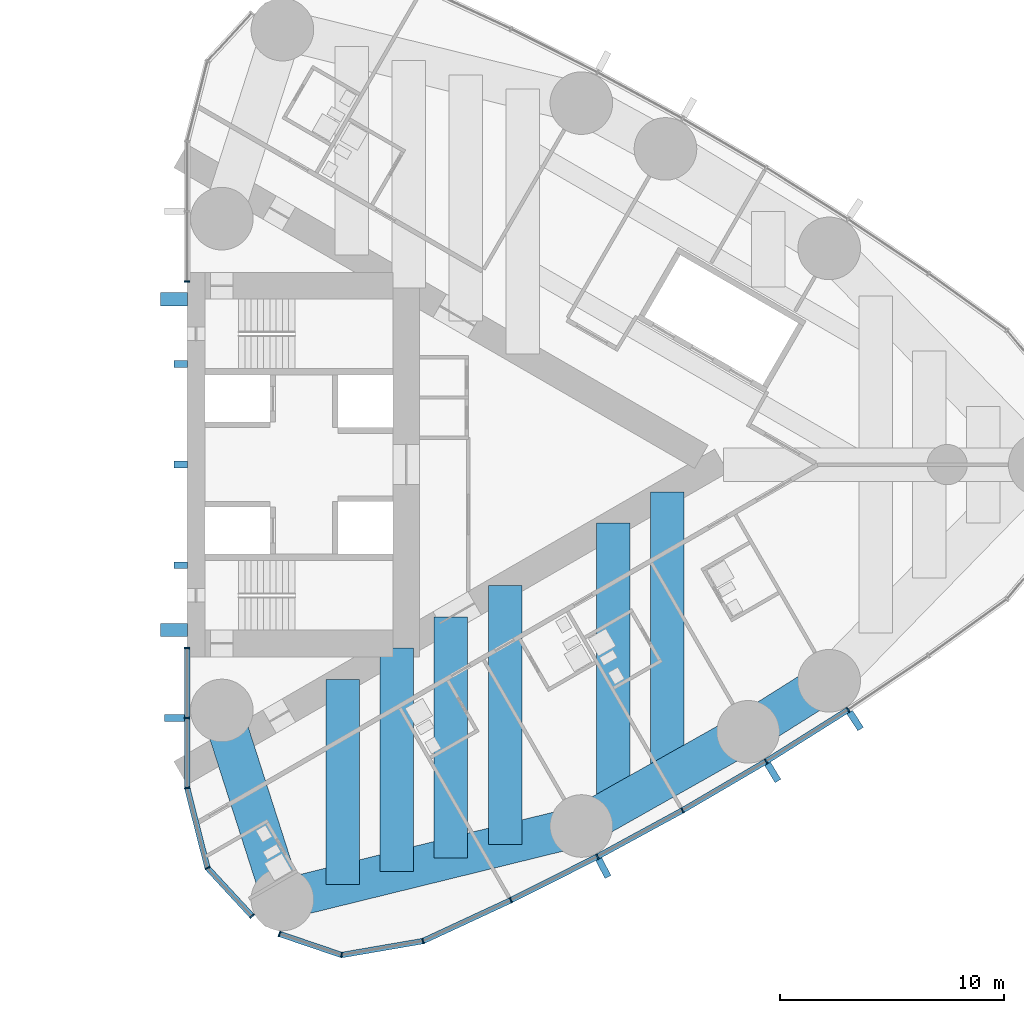
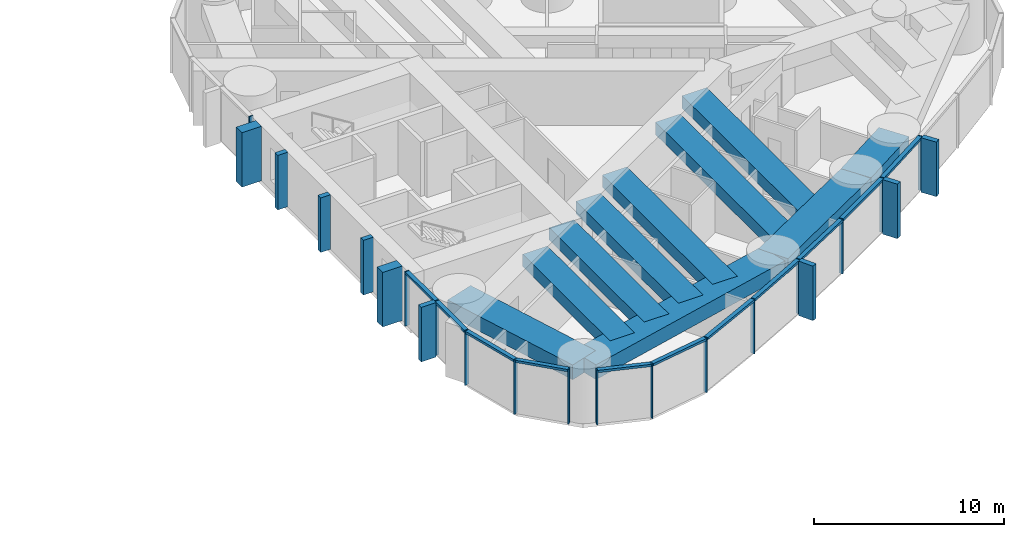
# One storey, part 6 of 19: 34 members, 10 beams, 3 elements without a shape of their own.
"""IFC4 building model written with IfcOpenShell, lengths in metres."""

import ifcopenshell
import ifcopenshell.guid

model = None  # the IFC model being written
_history = None  # IfcOwnerHistory: only IFC2X3 demands one
_inside = {}  # id of a spatial element -> (the spatial element, [elements in it])
_under = {}  # id of a project, library or spatial element -> (it, [spatial elements below it])
_declared = {}  # id of a project -> (the project, [libraries it declares])
_typed = {}  # id of a type object -> (the type object, [elements of that type])
_made_of = {}  # id of a material, layer set ... -> (it, [elements and type objects made of it])


def new_model(schema):
    """Start an empty IFC model of exactly this schema.

    Asked for "IFC4X3", IfcOpenShell would pick the latest addendum, in which some entities
    have other attributes; the version numbers below select the first issue.
    IFC2X3 requires an IfcOwnerHistory on every rooted entity: one is made here for all.
    """
    global model, _history
    if schema == "IFC4X3":
        model = ifcopenshell.file(schema_version=(4, 3, 0, 0))
    else:
        model = ifcopenshell.file(schema=schema)
    _inside.clear()
    _under.clear()
    _declared.clear()
    _typed.clear()
    _made_of.clear()
    _history = None
    if model.schema == "IFC2X3":
        org = make("IfcOrganization", Name="unknown")
        user = make(
            "IfcPersonAndOrganization",
            ThePerson=make("IfcPerson", FamilyName="unknown"),
            TheOrganization=org,
        )
        app = make(
            "IfcApplication",
            ApplicationDeveloper=org,
            Version="unknown",
            ApplicationFullName="unknown",
            ApplicationIdentifier="unknown",
        )
        _history = make(
            "IfcOwnerHistory",
            OwningUser=user,
            OwningApplication=app,
            ChangeAction="ADDED",
            CreationDate=0,
        )
    return model


def make(cls, **values):
    """One entity of the class cls with the attributes given. An attribute that is None is left unset."""
    return model.create_entity(
        cls, **{name: value for name, value in values.items() if value is not None}
    )


def rooted(cls, **values):
    """An entity with a GlobalId (a new one), such as an element, a storey or a relation."""
    return make(cls, GlobalId=ifcopenshell.guid.new(), OwnerHistory=_history, **values)


def si_unit(unit_type, name, prefix=None):
    """IfcSIUnit, for example si_unit("LENGTHUNIT", "METRE", prefix="MILLI")."""
    return make("IfcSIUnit", UnitType=unit_type, Prefix=prefix, Name=name)


def assignment(units):
    """IfcUnitAssignment: the units of a project."""
    return None if units is None else make("IfcUnitAssignment", Units=units)


def point(xyz):
    """IfcCartesianPoint."""
    return None if xyz is None else make("IfcCartesianPoint", Coordinates=xyz)


def direction(xyz):
    """IfcDirection."""
    return None if xyz is None else make("IfcDirection", DirectionRatios=xyz)


def frame(location, z_axis=None, x_axis=None):
    """IfcAxis2Placement3D, a coordinate frame: its origin and axes. An axis left out is left unset."""
    return make(
        "IfcAxis2Placement3D",
        Location=point(location),
        Axis=direction(z_axis),
        RefDirection=direction(x_axis),
    )


def frame_2d(location, x_axis=None):
    """IfcAxis2Placement2D, a coordinate frame in the plane: its origin and x axis."""
    return make(
        "IfcAxis2Placement2D", Location=point(location), RefDirection=direction(x_axis)
    )


def origin():
    """The frame at (0, 0, 0) with its axes left unset."""
    return frame((0.0, 0.0, 0.0))


def origin_2d():
    """The frame at (0, 0) in the plane with its x axis left unset."""
    return frame_2d((0.0, 0.0))


def place(relative_to, where):
    """IfcLocalPlacement: puts the frame where relative to a parent placement (None: the world)."""
    return make(
        "IfcLocalPlacement", PlacementRelTo=relative_to, RelativePlacement=where
    )


def context(
    kind, dimensions, precision=None, world=None, true_north=None, identifier=None
):
    """IfcGeometricRepresentationContext, for example the 3D "Model" context."""
    return make(
        "IfcGeometricRepresentationContext",
        ContextIdentifier=identifier,
        ContextType=kind,
        CoordinateSpaceDimension=dimensions,
        Precision=precision,
        WorldCoordinateSystem=world,
        TrueNorth=true_north,
    )


def subcontext(parent, identifier, kind, view, scale=None):
    """IfcGeometricRepresentationSubContext, for example "Body" below "Model"."""
    return make(
        "IfcGeometricRepresentationSubContext",
        ContextIdentifier=identifier,
        ContextType=kind,
        ParentContext=parent,
        TargetScale=scale,
        TargetView=view,
    )


def project(units=None, contexts=None):
    """IfcProject with its units and contexts."""
    return rooted(
        "IfcProject",
        Name="project",
        RepresentationContexts=contexts,
        UnitsInContext=assignment(units),
    )


def spatial(cls, under=None, at=None, **own):
    """A site, building, storey or space (cls), placed at a placement, below another one or the project."""
    s = rooted(cls, ObjectPlacement=at, **own)
    if under is not None:
        _under.setdefault(under.id(), (under, []))[1].append(s)
    return s


def profile(cls, at=None, kind="AREA", **sizes):
    """A parametric profile (cls). Its sizes go by their IFC names, for example OverallWidth=200.0."""
    return make(cls, ProfileType=kind, Position=at, **sizes)


def rectangle(**sizes):
    """IfcRectangleProfileDef."""
    return profile("IfcRectangleProfileDef", **sizes)


def extrude(swept, where, along, depth):
    """IfcExtrudedAreaSolid: the profile swept, set in the frame where, extruded along a direction by depth."""
    return make(
        "IfcExtrudedAreaSolid",
        SweptArea=swept,
        Position=where,
        ExtrudedDirection=direction(along),
        Depth=depth,
    )


def shape(context_of_items, identifier, shape_type, items):
    """IfcShapeRepresentation: the items that make up one representation, for example the "Body"."""
    return make(
        "IfcShapeRepresentation",
        ContextOfItems=context_of_items,
        RepresentationIdentifier=identifier,
        RepresentationType=shape_type,
        Items=items,
    )


def material(Name=None, Category=None):
    """IfcMaterial."""
    return make("IfcMaterial", Name=Name, Category=Category)


def material_profile(
    of_material, cross_section, Name=None, Category=None, Priority=None
):
    """IfcMaterialProfile: a cross section and its material."""
    return make(
        "IfcMaterialProfile",
        Name=Name,
        Material=of_material,
        Profile=cross_section,
        Priority=Priority,
        Category=Category,
    )


def profile_set(profiles, Name=None, composite=None):
    """IfcMaterialProfileSet."""
    return make(
        "IfcMaterialProfileSet",
        Name=Name,
        MaterialProfiles=profiles,
        CompositeProfile=composite,
    )


def made_of(thing, what):
    """Note that an element or type object is made of a material, layer set ...; save() writes the relation."""
    if what is not None:
        _made_of.setdefault(what.id(), (what, []))[1].append(thing)
    return thing


def type_object(cls, material=None, **own):
    """A type object (cls), such as IfcWallType, which elements share."""
    return made_of(rooted(cls, **own), material)


def element(
    cls,
    number,
    at=None,
    inside=None,
    cuts=None,
    type_object=None,
    material=None,
    context=None,
    identifier="Body",
    shape_type=None,
    held_by="IfcProductDefinitionShape",
    body=None,
    shapes=None,
    **own,
):
    """One element of the class cls, such as IfcWall. Its Tag is "e" and its number.

    at: its placement. inside: the storey or other place that contains it. cuts: it is an
    opening in that element (IfcRelVoidsElement). A single representation is given by context,
    identifier, shape_type and body (its items); several are given by shapes. held_by: the class
    of the entity that holds the representations. save() writes the other relations.
    """
    e = rooted(cls, Tag="e%d" % number, ObjectPlacement=at, **own)
    if body is not None:
        shapes = [shape(context, identifier, shape_type, body)]
    if shapes is not None:
        e.Representation = make(held_by, Representations=shapes)
    if inside is not None:
        _inside.setdefault(inside.id(), (inside, []))[1].append(e)
    if cuts is not None:
        rooted(
            "IfcRelVoidsElement", RelatingBuildingElement=cuts, RelatedOpeningElement=e
        )
    if type_object is not None:
        _typed.setdefault(type_object.id(), (type_object, []))[1].append(e)
    return made_of(e, material)


def aggregate(whole, parts):
    """IfcRelAggregates: a whole, such as a stair, and the parts it consists of."""
    return rooted("IfcRelAggregates", RelatingObject=whole, RelatedObjects=parts)


def save(model, path):
    """Write the relations noted so far, then the file.

    IfcRelAggregates (storeys below a building ...), IfcRelContainedInSpatialStructure (elements
    in a storey), IfcRelDefinesByType, IfcRelAssociatesMaterial and IfcRelDeclares: one each for
    every whole, place, type object, material and project.
    """
    for whole, parts in _under.values():
        aggregate(whole, parts)
    for where, things in _inside.values():
        rooted(
            "IfcRelContainedInSpatialStructure",
            RelatedElements=things,
            RelatingStructure=where,
        )
    for kind, things in _typed.values():
        rooted("IfcRelDefinesByType", RelatedObjects=things, RelatingType=kind)
    for what, things in _made_of.values():
        rooted("IfcRelAssociatesMaterial", RelatedObjects=things, RelatingMaterial=what)
    for by, libraries in _declared.values():
        rooted("IfcRelDeclares", RelatingContext=by, RelatedDefinitions=libraries)
    model.write(path)


model = new_model("IFC4")

# Units and contexts
model_context = context("Model", 3, precision=1e-05, world=origin(), true_north=direction((0.0, 1.0)))
body_context = subcontext(model_context, "Body", "Model", "MODEL_VIEW")
ifc_project = project(units=[si_unit("LENGTHUNIT", "METRE"), si_unit("AREAUNIT", "SQUARE_METRE"), si_unit("VOLUMEUNIT", "CUBIC_METRE"), si_unit("PLANEANGLEUNIT", "RADIAN"), si_unit("MASSUNIT", "GRAM", prefix="KILO")], contexts=[model_context])

# Site, building, storey
site_placement = place(None, origin())
site = spatial("IfcSite", under=ifc_project, at=site_placement, CompositionType="ELEMENT")
building_placement = place(site_placement, origin())
building = spatial("IfcBuilding", under=site, at=building_placement, Name="Lancet Gate Hotel", CompositionType="ELEMENT")
storey_placement = place(building_placement, frame((0.0, 0.0, 191.300048828125)))
storey = spatial("IfcBuildingStorey", under=building, at=storey_placement, Name="L51", CompositionType="ELEMENT", Elevation=191.300048828125)

# Curtain wall, members
ifc_material_1 = material(Name="Aluminium curtain wall", Category="aluminium")
curtain_wall_type = type_object("IfcCurtainWallType", Name="Tower unitised curtain wall", PredefinedType="USERDEFINED", material=ifc_material_1)
curtain_wall_1_placement = place(storey_placement, origin())
curtain_wall_1 = element("IfcCurtainWall", 1, at=curtain_wall_1_placement, inside=storey, type_object=curtain_wall_type, Name="T2 L51 curtain wall 1", ObjectType="UNITISED CURTAIN WALL", PredefinedType="USERDEFINED")
ifc_material_2 = material(Name="Aluminium mullion", Category="aluminium")
ifc_material_profile_1 = material_profile(ifc_material_2, rectangle(XDim=0.06494140625, YDim=0.25, at=origin_2d()), Name="MULLION 65x250")
ifc_profile_set_1 = profile_set([ifc_material_profile_1], Name="Aluminium mullion")
member_type_1 = type_object("IfcMemberType", Name="Aluminium mullion 65x250", PredefinedType="MULLION", material=ifc_profile_set_1)
member_1_placement = place(storey_placement, frame((27.5, -8.199951171875, 0.0), z_axis=(0.0, 0.0, 1.0), x_axis=(0.0, -1.0, 0.0)))
member_1 = element("IfcMember", 2, at=member_1_placement, type_object=member_type_1, Name="T2 L51 curtain wall 1 mullion 1", PredefinedType="MULLION", context=body_context, shape_type="SweptSolid", body=[
    extrude(rectangle(XDim=0.06494140625, YDim=0.25, at=origin_2d()), origin(), (0.0, 0.0, 1.0), 3.5),
])
member_2_placement = place(storey_placement, frame((27.5, -11.332763671875, 0.0), z_axis=(0.0, 0.0, 1.0), x_axis=(0.0, -1.0, 0.0)))
member_2 = element("IfcMember", 3, at=member_2_placement, type_object=member_type_1, Name="T2 L51 curtain wall 1 mullion 2", PredefinedType="MULLION", context=body_context, shape_type="SweptSolid", body=[
    extrude(rectangle(XDim=0.06494140625, YDim=0.25, at=origin_2d()), origin(), (0.0, 0.0, 1.0), 3.5),
])
member_3_placement = place(storey_placement, frame((27.5, -14.465576171875, 0.0), z_axis=(0.0, 0.0, 1.0), x_axis=(0.134206524909, -0.990953383703, 0.0)))
member_3 = element("IfcMember", 4, at=member_3_placement, type_object=member_type_1, Name="T2 L51 curtain wall 1 mullion 3", PredefinedType="MULLION", context=body_context, shape_type="SweptSolid", body=[
    extrude(rectangle(XDim=0.06494140625, YDim=0.25, at=origin_2d()), origin(), (0.0, 0.0, 1.0), 3.5),
])
member_4_placement = place(storey_placement, frame((28.408935546875, -18.04443359375, 0.0), z_axis=(0.0, 0.0, 1.0), x_axis=(0.451505925065, -0.892268120932, 0.0)))
member_4 = element("IfcMember", 5, at=member_4_placement, type_object=member_type_1, Name="T2 L51 curtain wall 1 mullion 4", PredefinedType="MULLION", context=body_context, shape_type="SweptSolid", body=[
    extrude(rectangle(XDim=0.06494140625, YDim=0.25, at=origin_2d()), origin(), (0.0, 0.0, 1.0), 3.5),
])
member_5_placement = place(storey_placement, frame((30.40185546875, -20.199951171875, 0.0), z_axis=(0.0, 0.0, 1.0), x_axis=(0.67883123083, -0.734294327943, 0.0)))
member_5 = element("IfcMember", 6, at=member_5_placement, type_object=member_type_1, Name="T2 L51 curtain wall 1 mullion 5", PredefinedType="MULLION", context=body_context, shape_type="SweptSolid", body=[
    extrude(rectangle(XDim=0.06494140625, YDim=0.25, at=origin_2d()), origin(), (0.0, 0.0, 1.0), 3.5),
])

curtain_wall_2_placement = place(storey_placement, origin())
curtain_wall_2 = element("IfcCurtainWall", 7, at=curtain_wall_2_placement, inside=storey, type_object=curtain_wall_type, Name="T2 L51 curtain wall 2", ObjectType="UNITISED CURTAIN WALL", PredefinedType="USERDEFINED")
member_6_placement = place(storey_placement, frame((31.631591796875, -20.998779296875, 0.0), z_axis=(0.0, 0.0, 1.0), x_axis=(0.946952368511, -0.321373943827, 0.0)))
member_6 = element("IfcMember", 8, at=member_6_placement, type_object=member_type_1, Name="T2 L51 curtain wall 2 mullion 1", PredefinedType="MULLION", context=body_context, shape_type="SweptSolid", body=[
    extrude(rectangle(XDim=0.06494140625, YDim=0.25, at=origin_2d()), origin(), (0.0, 0.0, 1.0), 3.5),
])
member_7_placement = place(storey_placement, frame((34.412109375, -21.9423828125, 0.0), z_axis=(0.0, 0.0, 1.0), x_axis=(0.99877556888, -0.049470829879, 0.0)))
member_7 = element("IfcMember", 9, at=member_7_placement, type_object=member_type_1, Name="T2 L51 curtain wall 2 mullion 2", PredefinedType="MULLION", context=body_context, shape_type="SweptSolid", body=[
    extrude(rectangle(XDim=0.06494140625, YDim=0.25, at=origin_2d()), origin(), (0.0, 0.0, 1.0), 3.5),
])
member_8_placement = place(storey_placement, frame((38.05126953125, -21.31689453125, 0.0), z_axis=(0.0, 0.0, 1.0), x_axis=(0.951355493327, 0.308095318555, 0.0)))
member_8 = element("IfcMember", 10, at=member_8_placement, type_object=member_type_1, Name="T2 L51 curtain wall 2 mullion 3", PredefinedType="MULLION", context=body_context, shape_type="SweptSolid", body=[
    extrude(rectangle(XDim=0.06494140625, YDim=0.25, at=origin_2d()), origin(), (0.0, 0.0, 1.0), 3.5),
])
member_9_placement = place(storey_placement, frame((41.98193359375, -19.490966796875, 0.0), z_axis=(0.0, 0.0, 1.0), x_axis=(0.900141333422, 0.435597956681, 0.0)))
member_9 = element("IfcMember", 11, at=member_9_placement, type_object=member_type_1, Name="T2 L51 curtain wall 2 mullion 4", PredefinedType="MULLION", context=body_context, shape_type="SweptSolid", body=[
    extrude(rectangle(XDim=0.06494140625, YDim=0.25, at=origin_2d()), origin(), (0.0, 0.0, 1.0), 3.5),
])
member_10_placement = place(storey_placement, frame((45.8525390625, -17.54150390625, 0.0), z_axis=(0.0, 0.0, 1.0), x_axis=(0.885877049989, 0.463920092584, 0.0)))
member_10 = element("IfcMember", 12, at=member_10_placement, type_object=member_type_1, Name="T2 L51 curtain wall 2 mullion 5", PredefinedType="MULLION", context=body_context, shape_type="SweptSolid", body=[
    extrude(rectangle(XDim=0.06494140625, YDim=0.25, at=origin_2d()), origin(), (0.0, 0.0, 1.0), 3.5),
])
member_11_placement = place(storey_placement, frame((49.65966796875, -15.47021484375, 0.0), z_axis=(0.0, 0.0, 1.0), x_axis=(0.870721916932, 0.491775704336, 0.0)))
member_11 = element("IfcMember", 13, at=member_11_placement, type_object=member_type_1, Name="T2 L51 curtain wall 2 mullion 6", PredefinedType="MULLION", context=body_context, shape_type="SweptSolid", body=[
    extrude(rectangle(XDim=0.06494140625, YDim=0.25, at=origin_2d()), origin(), (0.0, 0.0, 1.0), 3.5),
])
member_12_placement = place(storey_placement, frame((53.39892578125, -13.279541015625, 0.0), z_axis=(0.0, 0.0, 1.0), x_axis=(0.854691174453, 0.519136779965, 0.0)))
member_12 = element("IfcMember", 14, at=member_12_placement, type_object=member_type_1, Name="T2 L51 curtain wall 2 mullion 7", PredefinedType="MULLION", context=body_context, shape_type="SweptSolid", body=[
    extrude(rectangle(XDim=0.06494140625, YDim=0.25, at=origin_2d()), origin(), (0.0, 0.0, 1.0), 3.5),
])
member_13_placement = place(storey_placement, frame((57.067138671875, -10.970947265625, 0.0), z_axis=(0.0, 0.0, 1.0), x_axis=(0.837800943278, 0.545975804815, 0.0)))
member_13 = element("IfcMember", 15, at=member_13_placement, type_object=member_type_1, Name="T2 L51 curtain wall 2 mullion 8", PredefinedType="MULLION", context=body_context, shape_type="SweptSolid", body=[
    extrude(rectangle(XDim=0.06494140625, YDim=0.25, at=origin_2d()), origin(), (0.0, 0.0, 1.0), 3.5),
])

# Curtain wall, member
curtain_wall_3_placement = place(storey_placement, origin())
curtain_wall_3 = element("IfcCurtainWall", 16, at=curtain_wall_3_placement, inside=storey, type_object=curtain_wall_type, Name="T2 L51 curtain wall 4", ObjectType="UNITISED CURTAIN WALL", PredefinedType="USERDEFINED")
member_14_placement = place(storey_placement, frame((27.5, 8.199951171875, 0.0), z_axis=(0.0, 0.0, 1.0), x_axis=(0.0, -1.0, 0.0)))
member_14 = element("IfcMember", 17, at=member_14_placement, type_object=member_type_1, Name="T2 L51 curtain wall 4 mullion 5", PredefinedType="MULLION", context=body_context, shape_type="SweptSolid", body=[
    extrude(rectangle(XDim=0.06494140625, YDim=0.25, at=origin_2d()), origin(), (0.0, 0.0, 1.0), 3.5),
])
aggregate(curtain_wall_3, [member_14])

# Member
ifc_material_3 = material(Name="Aluminium transom", Category="aluminium")
ifc_material_profile_2 = material_profile(ifc_material_3, rectangle(XDim=0.25, YDim=0.14990234375, at=origin_2d()), Name="TRANSOM 250x150")
ifc_profile_set_2 = profile_set([ifc_material_profile_2], Name="Aluminium transom")
member_type_2 = type_object("IfcMemberType", Name="Aluminium transom 250x150", PredefinedType="USERDEFINED", material=ifc_profile_set_2)
member_15_placement = place(storey_placement, frame((27.5, -8.232421875, 3.425048828125), z_axis=(0.0, -1.0, 0.0), x_axis=(1.0, 0.0, 0.0)))
member_15 = element("IfcMember", 18, at=member_15_placement, type_object=member_type_2, Name="T2 L51 curtain wall 1 transom 1", ObjectType="TRANSOM", PredefinedType="USERDEFINED", context=body_context, shape_type="SweptSolid", body=[
    extrude(rectangle(XDim=0.25, YDim=0.14990234375, at=origin_2d()), origin(), (0.0, 0.0, 1.0), 3.06787109375),
])

member_16_placement = place(storey_placement, frame((27.5, -11.365234375, 3.425048828125), z_axis=(0.0, -1.0, 0.0), x_axis=(1.0, 0.0, 0.0)))
member_16 = element("IfcMember", 19, at=member_16_placement, type_object=member_type_2, Name="T2 L51 curtain wall 1 transom 2", ObjectType="TRANSOM", PredefinedType="USERDEFINED", context=body_context, shape_type="SweptSolid", body=[
    extrude(rectangle(XDim=0.25, YDim=0.14990234375, at=origin_2d()), origin(), (0.0, 0.0, 1.0), 3.06787109375),
])

member_17_placement = place(storey_placement, frame((27.508056640625, -14.4970703125, 3.425048828125), z_axis=(0.246128756616, -0.969237140831, 0.0), x_axis=(0.969237140831, 0.246128756616, 0.0)))
member_17 = element("IfcMember", 20, at=member_17_placement, type_object=member_type_2, Name="T2 L51 curtain wall 1 transom 3", ObjectType="TRANSOM", PredefinedType="USERDEFINED", context=body_context, shape_type="SweptSolid", body=[
    extrude(rectangle(XDim=0.25, YDim=0.14990234375, at=origin_2d()), origin(), (0.0, 0.0, 1.0), 3.62744140625),
])

member_18_placement = place(storey_placement, frame((28.43115234375, -18.068359375, 3.425048828125), z_axis=(0.678792146129, -0.734330458549, 0.0), x_axis=(0.734330458549, 0.678792146129, 0.0)))
member_18 = element("IfcMember", 21, at=member_18_placement, type_object=member_type_2, Name="T2 L51 curtain wall 1 transom 4", ObjectType="TRANSOM", PredefinedType="USERDEFINED", context=body_context, shape_type="SweptSolid", body=[
    extrude(rectangle(XDim=0.25, YDim=0.14990234375, at=origin_2d()), origin(), (0.0, 0.0, 1.0), 2.87060546875),
])

member_19_placement = place(storey_placement, frame((31.662353515625, -21.00927734375, 3.425048828125), z_axis=(0.946943122832, -0.321401185625, 0.0), x_axis=(0.321401185625, 0.946943122832, 0.0)))
member_19 = element("IfcMember", 22, at=member_19_placement, type_object=member_type_2, Name="T2 L51 curtain wall 2 transom 1", ObjectType="TRANSOM", PredefinedType="USERDEFINED", context=body_context, shape_type="SweptSolid", body=[
    extrude(rectangle(XDim=0.25, YDim=0.14990234375, at=origin_2d()), origin(), (0.0, 0.0, 1.0), 2.871337890625),
])

member_20_placement = place(storey_placement, frame((34.444091796875, -21.93701171875, 3.425048828125), z_axis=(0.985536950873, 0.169460669373, 0.0), x_axis=(-0.169460669373, 0.985536950873, 0.0)))
member_20 = element("IfcMember", 23, at=member_20_placement, type_object=member_type_2, Name="T2 L51 curtain wall 2 transom 2", ObjectType="TRANSOM", PredefinedType="USERDEFINED", context=body_context, shape_type="SweptSolid", body=[
    extrude(rectangle(XDim=0.25, YDim=0.14990234375, at=origin_2d()), origin(), (0.0, 0.0, 1.0), 3.627685546875),
])

member_21_placement = place(storey_placement, frame((38.080810546875, -21.30322265625, 3.425048828125), z_axis=(0.906913768492, 0.421316290357, 0.0), x_axis=(-0.421316290357, 0.906913768492, 0.0)))
member_21 = element("IfcMember", 24, at=member_21_placement, type_object=member_type_2, Name="T2 L51 curtain wall 2 transom 3", ObjectType="TRANSOM", PredefinedType="USERDEFINED", context=body_context, shape_type="SweptSolid", body=[
    extrude(rectangle(XDim=0.25, YDim=0.14990234375, at=origin_2d()), origin(), (0.0, 0.0, 1.0), 4.26904296875),
])

member_22_placement = place(storey_placement, frame((42.010986328125, -19.476318359375, 3.425048828125), z_axis=(0.893130969207, 0.449796700571, 0.0), x_axis=(-0.449796700571, 0.893130969207, 0.0)))
member_22 = element("IfcMember", 25, at=member_22_placement, type_object=member_type_2, Name="T2 L51 curtain wall 2 transom 4", ObjectType="TRANSOM", PredefinedType="USERDEFINED", context=body_context, shape_type="SweptSolid", body=[
    extrude(rectangle(XDim=0.25, YDim=0.14990234375, at=origin_2d()), origin(), (0.0, 0.0, 1.0), 4.26904296875),
])

member_23_placement = place(storey_placement, frame((45.881103515625, -17.526123046875, 3.425048828125), z_axis=(0.878404302735, 0.477918278513, 0.0), x_axis=(-0.477918278513, 0.878404302735, 0.0)))
member_23 = element("IfcMember", 26, at=member_23_placement, type_object=member_type_2, Name="T2 L51 curtain wall 2 transom 5", ObjectType="TRANSOM", PredefinedType="USERDEFINED", context=body_context, shape_type="SweptSolid", body=[
    extrude(rectangle(XDim=0.25, YDim=0.14990234375, at=origin_2d()), origin(), (0.0, 0.0, 1.0), 4.26904296875),
])

member_24_placement = place(storey_placement, frame((49.687744140625, -15.453857421875, 3.425048828125), z_axis=(0.862825279032, 0.505502262966, 0.0), x_axis=(-0.505502262966, 0.862825279032, 0.0)))
member_24 = element("IfcMember", 27, at=member_24_placement, type_object=member_type_2, Name="T2 L51 curtain wall 2 transom 6", ObjectType="TRANSOM", PredefinedType="USERDEFINED", context=body_context, shape_type="SweptSolid", body=[
    extrude(rectangle(XDim=0.25, YDim=0.14990234375, at=origin_2d()), origin(), (0.0, 0.0, 1.0), 4.26904296875),
])

member_25_placement = place(storey_placement, frame((53.426513671875, -13.26220703125, 3.425048828125), z_axis=(0.846333101657, 0.532653997488, 0.0), x_axis=(-0.532653997488, 0.846333101657, 0.0)))
member_25 = element("IfcMember", 28, at=member_25_placement, type_object=member_type_2, Name="T2 L51 curtain wall 2 transom 7", ObjectType="TRANSOM", PredefinedType="USERDEFINED", context=body_context, shape_type="SweptSolid", body=[
    extrude(rectangle(XDim=0.25, YDim=0.14990234375, at=origin_2d()), origin(), (0.0, 0.0, 1.0), 4.26904296875),
])

# Beams
ifc_material_4 = material(Name="Concrete C50/60", Category="concrete")
ifc_material_profile_3 = material_profile(ifc_material_4, rectangle(XDim=1.800048828125, YDim=0.949951171875, at=origin_2d()), Name="RC 1800x950")
ifc_profile_set_3 = profile_set([ifc_material_profile_3], Name="Concrete C50/60")
beam_type_1 = type_object("IfcBeamType", Name="Edge beam RC 1800x950", PredefinedType="SPANDREL", material=ifc_profile_set_3)
beam_1_placement = place(storey_placement, frame((31.759765625, -19.455810546875, 2.77490234375), z_axis=(0.971093253227, 0.238700426344, 0.0), x_axis=(-0.238700426344, 0.971093253227, 0.0)))
element("IfcBeam", 29, at=beam_1_placement, inside=storey, type_object=beam_type_1, Name="T2 edge beam EB1 L51", PredefinedType="SPANDREL", context=body_context, shape_type="SweptSolid", body=[
    extrude(rectangle(XDim=1.800048828125, YDim=0.949951171875, at=origin_2d()), origin(), (0.0, 0.0, 1.0), 13.77197265625),
])
beam_2_placement = place(storey_placement, frame((45.133544921875, -16.16845703125, 2.77490234375), z_axis=(0.870721990329, 0.491775574381, 0.0), x_axis=(-0.491775574381, 0.870721990329, 0.0)))
element("IfcBeam", 30, at=beam_2_placement, inside=storey, type_object=beam_type_1, Name="T2 edge beam EB1 L51", PredefinedType="SPANDREL", context=body_context, shape_type="SweptSolid", body=[
    extrude(rectangle(XDim=1.800048828125, YDim=0.949951171875, at=origin_2d()), origin(), (0.0, 0.0, 1.0), 8.568603515625),
])
beam_3_placement = place(storey_placement, frame((52.594482421875, -11.95458984375, 2.77490234375), z_axis=(0.846348902569, 0.532628890617, 0.0), x_axis=(-0.532628890617, 0.846348902569, 0.0)))
element("IfcBeam", 31, at=beam_3_placement, inside=storey, type_object=beam_type_1, Name="T2 edge beam EB1 L51", PredefinedType="SPANDREL", context=body_context, shape_type="SweptSolid", body=[
    extrude(rectangle(XDim=1.800048828125, YDim=0.949951171875, at=origin_2d()), origin(), (0.0, 0.0, 1.0), 4.284912109375),
])
beam_4_placement = place(storey_placement, frame((31.759765625, -19.455810546875, 2.77490234375), z_axis=(-0.305169772986, 0.952297962644, 0.0), x_axis=(-0.952297962644, -0.305169772986, 0.0)))
element("IfcBeam", 32, at=beam_4_placement, inside=storey, type_object=beam_type_1, Name="T2 edge beam EB1 L51", PredefinedType="SPANDREL", context=body_context, shape_type="SweptSolid", body=[
    extrude(rectangle(XDim=1.800048828125, YDim=0.949951171875, at=origin_2d()), origin(), (0.0, 0.0, 1.0), 8.87939453125),
])

# Members
ifc_material_5 = material(Name="Concrete C60/75", Category="concrete")
ifc_material_profile_4 = material_profile(ifc_material_5, rectangle(XDim=0.60009765625, YDim=1.199951171875, at=origin_2d()), Name="FIN 600x1200")
ifc_profile_set_4 = profile_set([ifc_material_profile_4], Name="Concrete C60/75")
member_type_3 = type_object("IfcMemberType", Name="Exposed concrete buttress pilaster 600x1200", PredefinedType="USERDEFINED", material=ifc_profile_set_4)
for number, where, z_axis, x_axis, name in (
    (33, (26.909912109375, -7.39990234375, 0.0), (0.0, 0.0, 1.0), (0.0, 1.0, 0.0), "T2 buttress pilaster S L51"),
    (34, (26.909912109375, 7.39990234375, 0.0), (0.0, 0.0, 1.0), (0.0, 1.0, 0.0), "T2 buttress pilaster N L51"),
):
    element("IfcMember", number, at=place(storey_placement, frame(where, z_axis=z_axis, x_axis=x_axis)), inside=storey, type_object=member_type_3, Name=name, ObjectType="FIN", PredefinedType="USERDEFINED", context=body_context, shape_type="SweptSolid", body=[
        extrude(rectangle(XDim=0.60009765625, YDim=1.199951171875, at=origin_2d()), origin(), (0.0, 0.0, 1.0), 3.5),
    ])

# Member
ifc_material_6 = material(Name="Precast concrete C50/60", Category="concrete")
ifc_material_profile_5 = material_profile(ifc_material_6, rectangle(XDim=0.300048828125, YDim=0.89990234375, at=origin_2d()), Name="FIN 300x900")
ifc_profile_set_5 = profile_set([ifc_material_profile_5], Name="Precast concrete C50/60")
member_type_4 = type_object("IfcMemberType", Name="Exposed concrete fin 300x900", PredefinedType="USERDEFINED", material=ifc_profile_set_5)
member_26_placement = place(storey_placement, frame((26.925048828125, -11.332763671875, 0.0), z_axis=(0.0, 0.0, 1.0), x_axis=(0.0, -1.0, 0.0)))
member_26 = element("IfcMember", 35, at=member_26_placement, type_object=member_type_4, Name="T2 L51 curtain wall 1 fin 2", ObjectType="FIN", PredefinedType="USERDEFINED", context=body_context, shape_type="SweptSolid", body=[
    extrude(rectangle(XDim=0.300048828125, YDim=0.89990234375, at=origin_2d()), origin(), (0.0, 0.0, 1.0), 3.5),
])

aggregate(curtain_wall_1, [member_1, member_2, member_26, member_3, member_4, member_5, member_15, member_16, member_17, member_18])

member_27_placement = place(storey_placement, frame((46.119384765625, -18.051025390625, 0.0), z_axis=(0.0, 0.0, 1.0), x_axis=(0.885877049989, 0.463920092584, 0.0)))
member_27 = element("IfcMember", 36, at=member_27_placement, type_object=member_type_4, Name="T2 L51 curtain wall 2 fin 5", ObjectType="FIN", PredefinedType="USERDEFINED", context=body_context, shape_type="SweptSolid", body=[
    extrude(rectangle(XDim=0.300048828125, YDim=0.89990234375, at=origin_2d()), origin(), (0.0, 0.0, 1.0), 3.5),
])

member_28_placement = place(storey_placement, frame((53.697509765625, -13.770751953125, 0.0), z_axis=(0.0, 0.0, 1.0), x_axis=(0.854691174453, 0.519136779965, 0.0)))
member_28 = element("IfcMember", 37, at=member_28_placement, type_object=member_type_4, Name="T2 L51 curtain wall 2 fin 7", ObjectType="FIN", PredefinedType="USERDEFINED", context=body_context, shape_type="SweptSolid", body=[
    extrude(rectangle(XDim=0.300048828125, YDim=0.89990234375, at=origin_2d()), origin(), (0.0, 0.0, 1.0), 3.5),
])

member_29_placement = place(storey_placement, frame((57.381103515625, -11.452880859375, 0.0), z_axis=(0.0, 0.0, 1.0), x_axis=(0.837800943278, 0.545975804815, 0.0)))
member_29 = element("IfcMember", 38, at=member_29_placement, type_object=member_type_4, Name="T2 L51 curtain wall 2 fin 8", ObjectType="FIN", PredefinedType="USERDEFINED", context=body_context, shape_type="SweptSolid", body=[
    extrude(rectangle(XDim=0.300048828125, YDim=0.89990234375, at=origin_2d()), origin(), (0.0, 0.0, 1.0), 3.5),
])

aggregate(curtain_wall_2, [member_6, member_7, member_8, member_9, member_10, member_27, member_11, member_12, member_28, member_13, member_29, member_19, member_20, member_21, member_22, member_23, member_24, member_25])

# Members
ifc_material_7 = material(Name="Concrete C60/75", Category="concrete")
ifc_material_profile_6 = material_profile(ifc_material_7, rectangle(XDim=0.300048828125, YDim=0.60009765625, at=origin_2d()), Name="FIN 300x600")
ifc_profile_set_6 = profile_set([ifc_material_profile_6], Name="Concrete C60/75")
member_type_5 = type_object("IfcMemberType", Name="Exposed concrete rib 300x600", PredefinedType="USERDEFINED", material=ifc_profile_set_6)
for number, where, z_axis, x_axis, name in (
    (39, (27.2099609375, -4.5, 0.0), (0.0, 0.0, 1.0), (0.0, 1.0, 0.0), "T2 core rib 1 L51"),
    (40, (27.2099609375, 0.0, 0.0), (0.0, 0.0, 1.0), (0.0, 1.0, 0.0), "T2 core rib 2 L51"),
    (41, (27.2099609375, 4.5, 0.0), (0.0, 0.0, 1.0), (0.0, 1.0, 0.0), "T2 core rib 3 L51"),
):
    element("IfcMember", number, at=place(storey_placement, frame(where, z_axis=z_axis, x_axis=x_axis)), inside=storey, type_object=member_type_5, Name=name, ObjectType="FIN", PredefinedType="USERDEFINED", context=body_context, shape_type="SweptSolid", body=[
        extrude(rectangle(XDim=0.300048828125, YDim=0.60009765625, at=origin_2d()), origin(), (0.0, 0.0, 1.0), 3.5),
    ])

# Beams
ifc_material_8 = material(Name="Concrete C50/60", Category="concrete")
ifc_material_profile_7 = material_profile(ifc_material_8, rectangle(XDim=1.5, YDim=0.800048828125, at=origin_2d()), Name="RC 1500x800")
ifc_profile_set_7 = profile_set([ifc_material_profile_7], Name="Concrete C50/60")
beam_type_2 = type_object("IfcBeamType", Name="Floor beam RC 1500x800", PredefinedType="BEAM", material=ifc_profile_set_7)
beam_5_placement = place(storey_placement, frame((34.460693359375, -18.7919921875, 2.849853515625), z_axis=(0.0, 1.0, 0.0), x_axis=(-1.0, 0.0, 0.0)))
element("IfcBeam", 42, at=beam_5_placement, inside=storey, type_object=beam_type_2, Name="T2 floor beam F01S L51", PredefinedType="BEAM", context=body_context, shape_type="SweptSolid", body=[
    extrude(rectangle(XDim=1.5, YDim=0.800048828125, at=origin_2d()), origin(), (0.0, 0.0, 1.0), 9.18408203125),
])
beam_6_placement = place(storey_placement, frame((36.880859375, -18.197021484375, 2.849853515625), z_axis=(0.0, 1.0, 0.0), x_axis=(-1.0, 0.0, 0.0)))
element("IfcBeam", 43, at=beam_6_placement, inside=storey, type_object=beam_type_2, Name="T2 floor beam F03S L51", PredefinedType="BEAM", context=body_context, shape_type="SweptSolid", body=[
    extrude(rectangle(XDim=1.5, YDim=0.800048828125, at=origin_2d()), origin(), (0.0, 0.0, 1.0), 9.986328125),
])
beam_7_placement = place(storey_placement, frame((39.301025390625, -17.60205078125, 2.849853515625), z_axis=(0.0, 1.0, 0.0), x_axis=(-1.0, 0.0, 0.0)))
element("IfcBeam", 44, at=beam_7_placement, inside=storey, type_object=beam_type_2, Name="T2 floor beam F05S L51", PredefinedType="BEAM", context=body_context, shape_type="SweptSolid", body=[
    extrude(rectangle(XDim=1.5, YDim=0.800048828125, at=origin_2d()), origin(), (0.0, 0.0, 1.0), 10.78857421875),
])
beam_8_placement = place(storey_placement, frame((41.721435546875, -17.007080078125, 2.849853515625), z_axis=(0.0, 1.0, 0.0), x_axis=(-1.0, 0.0, 0.0)))
element("IfcBeam", 45, at=beam_8_placement, inside=storey, type_object=beam_type_2, Name="T2 floor beam F07S L51", PredefinedType="BEAM", context=body_context, shape_type="SweptSolid", body=[
    extrude(rectangle(XDim=1.5, YDim=0.800048828125, at=origin_2d()), origin(), (0.0, 0.0, 1.0), 11.591064453125),
])
beam_9_placement = place(storey_placement, frame((46.561767578125, -15.36181640625, 2.849853515625), z_axis=(0.0, 1.0, 0.0), x_axis=(-1.0, 0.0, 0.0)))
element("IfcBeam", 46, at=beam_9_placement, inside=storey, type_object=beam_type_2, Name="T2 floor beam F09S L51", PredefinedType="BEAM", context=body_context, shape_type="SweptSolid", body=[
    extrude(rectangle(XDim=1.5, YDim=0.800048828125, at=origin_2d()), origin(), (0.0, 0.0, 1.0), 12.740478515625),
])
beam_10_placement = place(storey_placement, frame((48.98193359375, -13.994873046875, 2.849853515625), z_axis=(0.0, 1.0, 0.0), x_axis=(-1.0, 0.0, 0.0)))
element("IfcBeam", 47, at=beam_10_placement, inside=storey, type_object=beam_type_2, Name="T2 floor beam F10S L51", PredefinedType="BEAM", context=body_context, shape_type="SweptSolid", body=[
    extrude(rectangle(XDim=1.5, YDim=0.800048828125, at=origin_2d()), origin(), (0.0, 0.0, 1.0), 12.770751953125),
])

save(model, "model.ifc")
